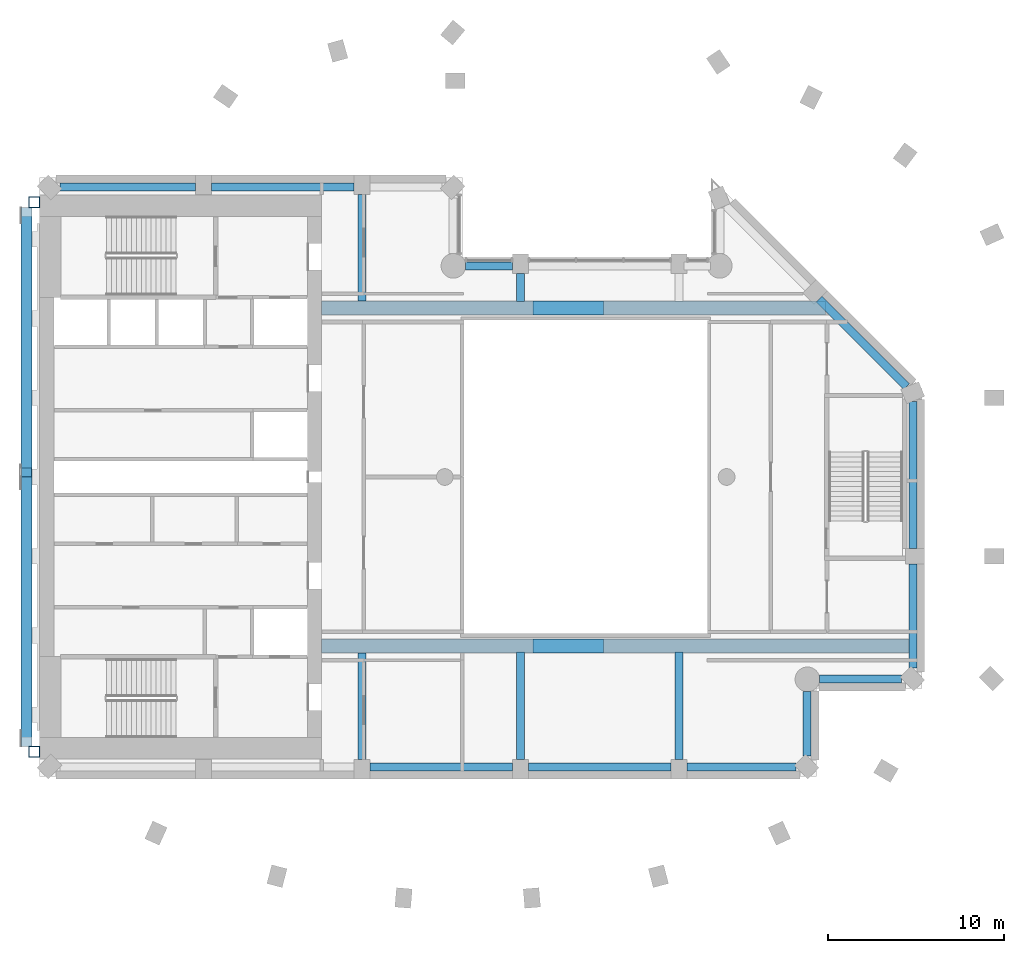
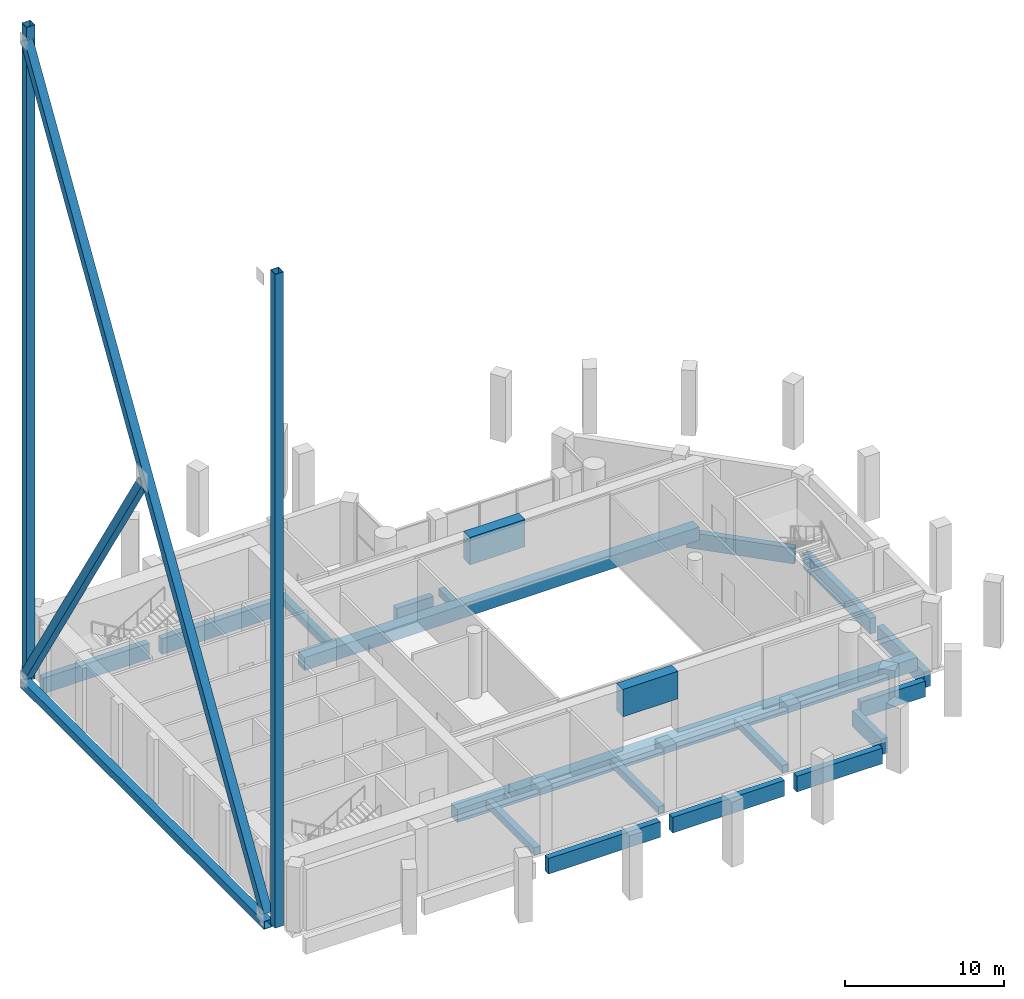
# One storey, part 2 of 12: 20 beams, 5 members.
"""IFC4 building model written with IfcOpenShell, lengths in metres."""

import ifcopenshell
import ifcopenshell.guid

model = None  # the IFC model being written
_history = None  # IfcOwnerHistory: only IFC2X3 demands one
_inside = {}  # id of a spatial element -> (the spatial element, [elements in it])
_under = {}  # id of a project, library or spatial element -> (it, [spatial elements below it])
_declared = {}  # id of a project -> (the project, [libraries it declares])
_typed = {}  # id of a type object -> (the type object, [elements of that type])
_made_of = {}  # id of a material, layer set ... -> (it, [elements and type objects made of it])


def new_model(schema):
    """Start an empty IFC model of exactly this schema.

    Asked for "IFC4X3", IfcOpenShell would pick the latest addendum, in which some entities
    have other attributes; the version numbers below select the first issue.
    IFC2X3 requires an IfcOwnerHistory on every rooted entity: one is made here for all.
    """
    global model, _history
    if schema == "IFC4X3":
        model = ifcopenshell.file(schema_version=(4, 3, 0, 0))
    else:
        model = ifcopenshell.file(schema=schema)
    _inside.clear()
    _under.clear()
    _declared.clear()
    _typed.clear()
    _made_of.clear()
    _history = None
    if model.schema == "IFC2X3":
        org = make("IfcOrganization", Name="unknown")
        user = make(
            "IfcPersonAndOrganization",
            ThePerson=make("IfcPerson", FamilyName="unknown"),
            TheOrganization=org,
        )
        app = make(
            "IfcApplication",
            ApplicationDeveloper=org,
            Version="unknown",
            ApplicationFullName="unknown",
            ApplicationIdentifier="unknown",
        )
        _history = make(
            "IfcOwnerHistory",
            OwningUser=user,
            OwningApplication=app,
            ChangeAction="ADDED",
            CreationDate=0,
        )
    return model


def make(cls, **values):
    """One entity of the class cls with the attributes given. An attribute that is None is left unset."""
    return model.create_entity(
        cls, **{name: value for name, value in values.items() if value is not None}
    )


def rooted(cls, **values):
    """An entity with a GlobalId (a new one), such as an element, a storey or a relation."""
    return make(cls, GlobalId=ifcopenshell.guid.new(), OwnerHistory=_history, **values)


def si_unit(unit_type, name, prefix=None):
    """IfcSIUnit, for example si_unit("LENGTHUNIT", "METRE", prefix="MILLI")."""
    return make("IfcSIUnit", UnitType=unit_type, Prefix=prefix, Name=name)


def assignment(units):
    """IfcUnitAssignment: the units of a project."""
    return None if units is None else make("IfcUnitAssignment", Units=units)


def point(xyz):
    """IfcCartesianPoint."""
    return None if xyz is None else make("IfcCartesianPoint", Coordinates=xyz)


def direction(xyz):
    """IfcDirection."""
    return None if xyz is None else make("IfcDirection", DirectionRatios=xyz)


def frame(location, z_axis=None, x_axis=None):
    """IfcAxis2Placement3D, a coordinate frame: its origin and axes. An axis left out is left unset."""
    return make(
        "IfcAxis2Placement3D",
        Location=point(location),
        Axis=direction(z_axis),
        RefDirection=direction(x_axis),
    )


def frame_2d(location, x_axis=None):
    """IfcAxis2Placement2D, a coordinate frame in the plane: its origin and x axis."""
    return make(
        "IfcAxis2Placement2D", Location=point(location), RefDirection=direction(x_axis)
    )


def origin():
    """The frame at (0, 0, 0) with its axes left unset."""
    return frame((0.0, 0.0, 0.0))


def origin_2d():
    """The frame at (0, 0) in the plane with its x axis left unset."""
    return frame_2d((0.0, 0.0))


def place(relative_to, where):
    """IfcLocalPlacement: puts the frame where relative to a parent placement (None: the world)."""
    return make(
        "IfcLocalPlacement", PlacementRelTo=relative_to, RelativePlacement=where
    )


def context(
    kind, dimensions, precision=None, world=None, true_north=None, identifier=None
):
    """IfcGeometricRepresentationContext, for example the 3D "Model" context."""
    return make(
        "IfcGeometricRepresentationContext",
        ContextIdentifier=identifier,
        ContextType=kind,
        CoordinateSpaceDimension=dimensions,
        Precision=precision,
        WorldCoordinateSystem=world,
        TrueNorth=true_north,
    )


def subcontext(parent, identifier, kind, view, scale=None):
    """IfcGeometricRepresentationSubContext, for example "Body" below "Model"."""
    return make(
        "IfcGeometricRepresentationSubContext",
        ContextIdentifier=identifier,
        ContextType=kind,
        ParentContext=parent,
        TargetScale=scale,
        TargetView=view,
    )


def project(units=None, contexts=None):
    """IfcProject with its units and contexts."""
    return rooted(
        "IfcProject",
        Name="project",
        RepresentationContexts=contexts,
        UnitsInContext=assignment(units),
    )


def spatial(cls, under=None, at=None, **own):
    """A site, building, storey or space (cls), placed at a placement, below another one or the project."""
    s = rooted(cls, ObjectPlacement=at, **own)
    if under is not None:
        _under.setdefault(under.id(), (under, []))[1].append(s)
    return s


def profile(cls, at=None, kind="AREA", **sizes):
    """A parametric profile (cls). Its sizes go by their IFC names, for example OverallWidth=200.0."""
    return make(cls, ProfileType=kind, Position=at, **sizes)


def rectangle(**sizes):
    """IfcRectangleProfileDef."""
    return profile("IfcRectangleProfileDef", **sizes)


def hollow_rectangle(**sizes):
    """IfcRectangleHollowProfileDef."""
    return profile("IfcRectangleHollowProfileDef", **sizes)


def extrude(swept, where, along, depth):
    """IfcExtrudedAreaSolid: the profile swept, set in the frame where, extruded along a direction by depth."""
    return make(
        "IfcExtrudedAreaSolid",
        SweptArea=swept,
        Position=where,
        ExtrudedDirection=direction(along),
        Depth=depth,
    )


def shape(context_of_items, identifier, shape_type, items):
    """IfcShapeRepresentation: the items that make up one representation, for example the "Body"."""
    return make(
        "IfcShapeRepresentation",
        ContextOfItems=context_of_items,
        RepresentationIdentifier=identifier,
        RepresentationType=shape_type,
        Items=items,
    )


def material(Name=None, Category=None):
    """IfcMaterial."""
    return make("IfcMaterial", Name=Name, Category=Category)


def material_profile(
    of_material, cross_section, Name=None, Category=None, Priority=None
):
    """IfcMaterialProfile: a cross section and its material."""
    return make(
        "IfcMaterialProfile",
        Name=Name,
        Material=of_material,
        Profile=cross_section,
        Priority=Priority,
        Category=Category,
    )


def profile_set(profiles, Name=None, composite=None):
    """IfcMaterialProfileSet."""
    return make(
        "IfcMaterialProfileSet",
        Name=Name,
        MaterialProfiles=profiles,
        CompositeProfile=composite,
    )


def made_of(thing, what):
    """Note that an element or type object is made of a material, layer set ...; save() writes the relation."""
    if what is not None:
        _made_of.setdefault(what.id(), (what, []))[1].append(thing)
    return thing


def type_object(cls, material=None, **own):
    """A type object (cls), such as IfcWallType, which elements share."""
    return made_of(rooted(cls, **own), material)


def element(
    cls,
    number,
    at=None,
    inside=None,
    cuts=None,
    type_object=None,
    material=None,
    context=None,
    identifier="Body",
    shape_type=None,
    held_by="IfcProductDefinitionShape",
    body=None,
    shapes=None,
    **own,
):
    """One element of the class cls, such as IfcWall. Its Tag is "e" and its number.

    at: its placement. inside: the storey or other place that contains it. cuts: it is an
    opening in that element (IfcRelVoidsElement). A single representation is given by context,
    identifier, shape_type and body (its items); several are given by shapes. held_by: the class
    of the entity that holds the representations. save() writes the other relations.
    """
    e = rooted(cls, Tag="e%d" % number, ObjectPlacement=at, **own)
    if body is not None:
        shapes = [shape(context, identifier, shape_type, body)]
    if shapes is not None:
        e.Representation = make(held_by, Representations=shapes)
    if inside is not None:
        _inside.setdefault(inside.id(), (inside, []))[1].append(e)
    if cuts is not None:
        rooted(
            "IfcRelVoidsElement", RelatingBuildingElement=cuts, RelatedOpeningElement=e
        )
    if type_object is not None:
        _typed.setdefault(type_object.id(), (type_object, []))[1].append(e)
    return made_of(e, material)


def aggregate(whole, parts):
    """IfcRelAggregates: a whole, such as a stair, and the parts it consists of."""
    return rooted("IfcRelAggregates", RelatingObject=whole, RelatedObjects=parts)


def save(model, path):
    """Write the relations noted so far, then the file.

    IfcRelAggregates (storeys below a building ...), IfcRelContainedInSpatialStructure (elements
    in a storey), IfcRelDefinesByType, IfcRelAssociatesMaterial and IfcRelDeclares: one each for
    every whole, place, type object, material and project.
    """
    for whole, parts in _under.values():
        aggregate(whole, parts)
    for where, things in _inside.values():
        rooted(
            "IfcRelContainedInSpatialStructure",
            RelatedElements=things,
            RelatingStructure=where,
        )
    for kind, things in _typed.values():
        rooted("IfcRelDefinesByType", RelatedObjects=things, RelatingType=kind)
    for what, things in _made_of.values():
        rooted("IfcRelAssociatesMaterial", RelatedObjects=things, RelatingMaterial=what)
    for by, libraries in _declared.values():
        rooted("IfcRelDeclares", RelatingContext=by, RelatedDefinitions=libraries)
    model.write(path)


model = new_model("IFC4")

# Units and contexts
model_context = context("Model", 3, precision=1e-05, world=origin(), true_north=direction((0.0, 1.0)))
body_context = subcontext(model_context, "Body", "Model", "MODEL_VIEW")
ifc_project = project(units=[si_unit("LENGTHUNIT", "METRE"), si_unit("AREAUNIT", "SQUARE_METRE"), si_unit("VOLUMEUNIT", "CUBIC_METRE"), si_unit("PLANEANGLEUNIT", "RADIAN"), si_unit("MASSUNIT", "GRAM", prefix="KILO")], contexts=[model_context])

# Site, building, storey
site_placement = place(None, origin())
site = spatial("IfcSite", under=ifc_project, at=site_placement, CompositionType="ELEMENT")
building_placement = place(site_placement, origin())
building = spatial("IfcBuilding", under=site, at=building_placement, Name="Cypress Arch Tower", CompositionType="ELEMENT")
storey_placement = place(building_placement, frame((0.0, 0.0, 238.39990234375)))
storey = spatial("IfcBuildingStorey", under=building, at=storey_placement, Name="L53", CompositionType="ELEMENT", Elevation=238.39990234375)

# Beams
ifc_material_1 = material(Name="Concrete C50/60", Category="concrete")
ifc_material_profile_1 = material_profile(ifc_material_1, rectangle(XDim=0.449951171875, YDim=0.550048828125, at=origin_2d()), Name="RC 450x550")
ifc_profile_set_1 = profile_set([ifc_material_profile_1], Name="Concrete C50/60")
beam_type_1 = type_object("IfcBeamType", Name="Floor beam RC 450x550 Concrete C50/60", PredefinedType="BEAM", material=ifc_profile_set_1)
for number, where, z_axis, x_axis, name in (
    (1, (-11.699951171875, -16.050048828125, -0.574951171875), (0.0, 1.0, 0.0), (-1.0, 0.0, 0.0), "Floor beam L53 FB007"),
    (2, (-11.699951171875, 10.0, -0.574951171875), (0.0, 1.0, 0.0), (-1.0, 0.0, 0.0), "Floor beam L53 FB008"),
):
    element("IfcBeam", number, at=place(storey_placement, frame(where, z_axis=z_axis, x_axis=x_axis)), inside=storey, type_object=beam_type_1, Name=name, PredefinedType="BEAM", context=body_context, shape_type="SweptSolid", body=[
        extrude(rectangle(XDim=0.449951171875, YDim=0.550048828125, at=origin_2d()), origin(), (0.0, 0.0, 1.0), 6.050048828125),
    ])
beam_1_placement = place(storey_placement, frame((-2.699951171875, -16.050048828125, -0.574951171875), z_axis=(0.0, 1.0, 0.0), x_axis=(-1.0, 0.0, 0.0)))
element("IfcBeam", 3, at=beam_1_placement, inside=storey, type_object=beam_type_1, Name="Floor beam L53 FB009", PredefinedType="BEAM", context=body_context, shape_type="SweptSolid", body=[
    extrude(rectangle(XDim=0.449951171875, YDim=0.550048828125, at=origin_2d()), origin(), (0.0, 0.0, 1.0), 6.10009765625),
])
beam_2_placement = place(storey_placement, frame((-2.699951171875, 9.949951171875, -0.574951171875), z_axis=(0.0, 1.0, 0.0), x_axis=(-1.0, 0.0, 0.0)))
element("IfcBeam", 4, at=beam_2_placement, inside=storey, type_object=beam_type_1, Name="Floor beam L53 FB010", PredefinedType="BEAM", context=body_context, shape_type="SweptSolid", body=[
    extrude(rectangle(XDim=0.449951171875, YDim=0.550048828125, at=origin_2d()), origin(), (0.0, 0.0, 1.0), 1.60009765625),
])
beam_3_placement = place(storey_placement, frame((6.300048828125, -16.050048828125, -0.574951171875), z_axis=(0.0, 1.0, 0.0), x_axis=(-1.0, 0.0, 0.0)))
element("IfcBeam", 5, at=beam_3_placement, inside=storey, type_object=beam_type_1, Name="Floor beam L53 FB011", PredefinedType="BEAM", context=body_context, shape_type="SweptSolid", body=[
    extrude(rectangle(XDim=0.449951171875, YDim=0.550048828125, at=origin_2d()), origin(), (0.0, 0.0, 1.0), 6.10009765625),
])
ifc_material_2 = material(Name="Concrete C80/95", Category="concrete")
ifc_material_profile_2 = material_profile(ifc_material_2, rectangle(XDim=0.800048828125, YDim=2.10009765625, at=origin_2d()), Name="RC 800x2100")
ifc_profile_set_2 = profile_set([ifc_material_profile_2], Name="Concrete C80/95")
beam_type_2 = type_object("IfcBeamType", Name="Outrigger opening beam RC 800x2100 Concrete C80/95", PredefinedType="LINTEL", material=ifc_profile_set_2)
for number, where, z_axis, x_axis, name in (
    (6, (-2.0, -9.60009765625, 3.650146484375), (1.0, 0.0, 0.0), (0.0, 1.0, 0.0), "Opening beam L53 S"),
    (7, (-2.0, 9.60009765625, 3.650146484375), (1.0, 0.0, 0.0), (0.0, 1.0, 0.0), "Opening beam L53 N"),
):
    element("IfcBeam", number, at=place(storey_placement, frame(where, z_axis=z_axis, x_axis=x_axis)), inside=storey, type_object=beam_type_2, Name=name, PredefinedType="LINTEL", context=body_context, shape_type="SweptSolid", body=[
        extrude(rectangle(XDim=0.800048828125, YDim=2.10009765625, at=origin_2d()), origin(), (0.0, 0.0, 1.0), 4.0),
    ])
ifc_material_3 = material(Name="Concrete C50/60", Category="concrete")
ifc_material_profile_3 = material_profile(ifc_material_3, rectangle(XDim=0.449951171875, YDim=1.199951171875, at=origin_2d()), Name="RC 450x1200")
ifc_profile_set_3 = profile_set([ifc_material_profile_3], Name="Concrete C50/60")
beam_type_3 = type_object("IfcBeamType", Name="Spandrel beam RC 450x1200 Concrete C50/60", PredefinedType="SPANDREL", material=ifc_profile_set_3)
for number, where, z_axis, x_axis, name in (
    (8, (-11.25, -16.47509765625, -1.5498046875), (1.0, 0.0, 0.0), (0.0, 1.0, 0.0), "Spandrel beam L53 BB01-2"),
    (9, (-2.25, -16.47509765625, -1.5498046875), (1.0, 0.0, 0.0), (0.0, 1.0, 0.0), "Spandrel beam L53 BB01-3"),
):
    element("IfcBeam", number, at=place(storey_placement, frame(where, z_axis=z_axis, x_axis=x_axis)), inside=storey, type_object=beam_type_3, Name=name, PredefinedType="SPANDREL", context=body_context, shape_type="SweptSolid", body=[
        extrude(rectangle(XDim=0.449951171875, YDim=1.199951171875, at=origin_2d()), origin(), (0.0, 0.0, 1.0), 8.10009765625),
    ])
beam_4_placement = place(storey_placement, frame((6.75, -16.47509765625, -1.5498046875), z_axis=(1.0, 0.0, 0.0), x_axis=(0.0, 1.0, 0.0)))
element("IfcBeam", 10, at=beam_4_placement, inside=storey, type_object=beam_type_3, Name="Spandrel beam L53 BB01-4", PredefinedType="SPANDREL", context=body_context, shape_type="SweptSolid", body=[
    extrude(rectangle(XDim=0.449951171875, YDim=1.199951171875, at=origin_2d()), origin(), (0.0, 0.0, 1.0), 6.188720703125),
])
beam_5_placement = place(storey_placement, frame((13.574951171875, -15.838623046875, -1.5498046875), z_axis=(0.0, 1.0, 0.0), x_axis=(-1.0, 0.0, 0.0)))
element("IfcBeam", 11, at=beam_5_placement, inside=storey, type_object=beam_type_3, Name="Spandrel beam L53 BB02-0", PredefinedType="SPANDREL", context=body_context, shape_type="SweptSolid", body=[
    extrude(rectangle(XDim=0.449951171875, YDim=1.199951171875, at=origin_2d()), origin(), (0.0, 0.0, 1.0), 3.651123046875),
])
beam_6_placement = place(storey_placement, frame((14.28759765625, -11.47509765625, -1.5498046875), z_axis=(1.0, 0.0, 0.0), x_axis=(0.0, 1.0, 0.0)))
element("IfcBeam", 12, at=beam_6_placement, inside=storey, type_object=beam_type_3, Name="Spandrel beam L53 BB03-0", PredefinedType="SPANDREL", context=body_context, shape_type="SweptSolid", body=[
    extrude(rectangle(XDim=0.449951171875, YDim=1.199951171875, at=origin_2d()), origin(), (0.0, 0.0, 1.0), 4.651123046875),
])
beam_7_placement = place(storey_placement, frame((19.574951171875, -10.838623046875, -1.5498046875), z_axis=(0.0, 1.0, 0.0), x_axis=(-1.0, 0.0, 0.0)))
element("IfcBeam", 13, at=beam_7_placement, inside=storey, type_object=beam_type_3, Name="Spandrel beam L53 BB04-0", PredefinedType="SPANDREL", context=body_context, shape_type="SweptSolid", body=[
    extrude(rectangle(XDim=0.449951171875, YDim=1.199951171875, at=origin_2d()), origin(), (0.0, 0.0, 1.0), 5.888671875),
])
beam_8_placement = place(storey_placement, frame((19.574951171875, -4.050048828125, -1.5498046875), z_axis=(0.0, 1.0, 0.0), x_axis=(-1.0, 0.0, 0.0)))
element("IfcBeam", 14, at=beam_8_placement, inside=storey, type_object=beam_type_3, Name="Spandrel beam L53 BB04-1", PredefinedType="SPANDREL", context=body_context, shape_type="SweptSolid", body=[
    extrude(rectangle(XDim=0.449951171875, YDim=1.199951171875, at=origin_2d()), origin(), (0.0, 0.0, 1.0), 8.345458984375),
])
beam_9_placement = place(storey_placement, frame((19.23046875, 5.126953125, -1.5498046875), z_axis=(-0.707106781187, 0.707106781187, 0.0), x_axis=(-0.707106781187, -0.707106781187, 0.0)))
element("IfcBeam", 15, at=beam_9_placement, inside=storey, type_object=beam_type_3, Name="Spandrel beam L53 BB05-0", PredefinedType="SPANDREL", context=body_context, shape_type="SweptSolid", body=[
    extrude(rectangle(XDim=0.449951171875, YDim=1.199951171875, at=origin_2d()), origin(), (0.0, 0.0, 1.0), 7.03076171875),
])
beam_10_placement = place(storey_placement, frame((-3.14990234375, 11.97509765625, -1.5498046875), z_axis=(-1.0, 0.0, 0.0), x_axis=(0.0, -1.0, 0.0)))
element("IfcBeam", 16, at=beam_10_placement, inside=storey, type_object=beam_type_3, Name="Spandrel beam L53 BB07-2", PredefinedType="SPANDREL", context=body_context, shape_type="SweptSolid", body=[
    extrude(rectangle(XDim=0.449951171875, YDim=1.199951171875, at=origin_2d()), origin(), (0.0, 0.0, 1.0), 2.66259765625),
])
beam_11_placement = place(storey_placement, frame((-12.14990234375, 16.47509765625, -1.5498046875), z_axis=(-1.0, 0.0, 0.0), x_axis=(0.0, -1.0, 0.0)))
element("IfcBeam", 17, at=beam_11_placement, inside=storey, type_object=beam_type_3, Name="Spandrel beam L53 BB09-1", PredefinedType="SPANDREL", context=body_context, shape_type="SweptSolid", body=[
    extrude(rectangle(XDim=0.449951171875, YDim=1.199951171875, at=origin_2d()), origin(), (0.0, 0.0, 1.0), 8.10009765625),
])
beam_12_placement = place(storey_placement, frame((-21.14990234375, 16.47509765625, -1.5498046875), z_axis=(-1.0, 0.0, 0.0), x_axis=(0.0, -1.0, 0.0)))
element("IfcBeam", 18, at=beam_12_placement, inside=storey, type_object=beam_type_3, Name="Spandrel beam L53 BB09-2", PredefinedType="SPANDREL", context=body_context, shape_type="SweptSolid", body=[
    extrude(rectangle(XDim=0.449951171875, YDim=1.199951171875, at=origin_2d()), origin(), (0.0, 0.0, 1.0), 7.688720703125),
])
ifc_material_4 = material(Name="Concrete C80/95", Category="concrete")
ifc_material_profile_4 = material_profile(ifc_material_4, rectangle(XDim=0.800048828125, YDim=1.0, at=origin_2d()), Name="RC 800x1000")
ifc_profile_set_4 = profile_set([ifc_material_profile_4], Name="Concrete C80/95")
beam_type_4 = type_object("IfcBeamType", Name="Wall beam RC 800x1000 Concrete C80/95", PredefinedType="BEAM", material=ifc_profile_set_4)
beam_13_placement = place(storey_placement, frame((-14.0, -9.60009765625, -0.7998046875), z_axis=(1.0, 0.0, 0.0), x_axis=(0.0, 1.0, 0.0)))
element("IfcBeam", 19, at=beam_13_placement, inside=storey, type_object=beam_type_4, Name="Wall beam L53 SE", PredefinedType="BEAM", context=body_context, shape_type="SweptSolid", body=[
    extrude(rectangle(XDim=0.800048828125, YDim=1.0, at=origin_2d()), origin(), (0.0, 0.0, 1.0), 33.35009765625),
])
beam_14_placement = place(storey_placement, frame((-14.0, 9.60009765625, -0.7998046875), z_axis=(1.0, 0.0, 0.0), x_axis=(0.0, 1.0, 0.0)))
element("IfcBeam", 20, at=beam_14_placement, inside=storey, type_object=beam_type_4, Name="Wall beam L53 NE", PredefinedType="BEAM", context=body_context, shape_type="SweptSolid", body=[
    extrude(rectangle(XDim=0.800048828125, YDim=1.0, at=origin_2d()), origin(), (0.0, 0.0, 1.0), 28.625732421875),
])

# Members
ifc_material_5 = material(Name="Steel ASTM A501 Grade B", Category="steel")
ifc_material_profile_5 = material_profile(ifc_material_5, hollow_rectangle(XDim=0.609619140625, YDim=0.609619140625, WallThickness=0.023681640625, at=origin_2d()), Name="HSS 24x24x1")
ifc_profile_set_5 = profile_set([ifc_material_profile_5], Name="Steel ASTM A501 Grade B")
member_type_1 = type_object("IfcMemberType", Name="West bracing chord HSS 24x24x1 Steel ASTM A501 Grade B", PredefinedType="CHORD", material=ifc_profile_set_5)
member_1_placement = place(storey_placement, frame((-30.7548828125, -15.295166015625, 0.0), z_axis=(0.0, 1.0, 0.0), x_axis=(-1.0, 0.0, 0.0)))
element("IfcMember", 21, at=member_1_placement, inside=storey, type_object=member_type_1, Name="West bracing chord 5", PredefinedType="CHORD", context=body_context, shape_type="SweptSolid", body=[
    extrude(hollow_rectangle(XDim=0.609619140625, YDim=0.609619140625, WallThickness=0.023681640625, at=origin_2d()), origin(), (0.0, 0.0, 1.0), 30.59033203125),
])
ifc_material_6 = material(Name="Steel ASTM A501 Grade B", Category="steel")
ifc_material_profile_6 = material_profile(ifc_material_6, hollow_rectangle(XDim=0.609619140625, YDim=0.609619140625, WallThickness=0.023681640625, at=origin_2d()), Name="HSS 24x24x1")
ifc_profile_set_6 = profile_set([ifc_material_profile_6], Name="Steel ASTM A501 Grade B")
member_type_2 = type_object("IfcMemberType", Name="West bracing diagonal HSS 24x24x1 Steel ASTM A501 Grade B", PredefinedType="BRACE", material=ifc_profile_set_6)
member_2_placement = place(storey_placement, frame((-30.7548828125, -15.036376953125, 0.7236328125), z_axis=(0.0, 0.52577537996, 0.85062344773), x_axis=(-1.0, 0.0, 0.0)))
element("IfcMember", 22, at=member_2_placement, inside=storey, type_object=member_type_2, Name="West bracing diagonal 5A", PredefinedType="BRACE", context=body_context, shape_type="SweptSolid", body=[
    extrude(hollow_rectangle(XDim=0.609619140625, YDim=0.609619140625, WallThickness=0.023681640625, at=origin_2d()), origin(), (0.0, 0.0, 1.0), 57.197021484375),
])
member_3_placement = place(storey_placement, frame((-30.7548828125, 15.036376953125, 0.7236328125), z_axis=(0.0, -0.525775246676, 0.850623530114), x_axis=(1.0, 0.0, 0.0)))
element("IfcMember", 23, at=member_3_placement, inside=storey, type_object=member_type_2, Name="West bracing diagonal 5C", PredefinedType="BRACE", context=body_context, shape_type="SweptSolid", body=[
    extrude(hollow_rectangle(XDim=0.609619140625, YDim=0.609619140625, WallThickness=0.023681640625, at=origin_2d()), origin(), (0.0, 0.0, 1.0), 28.105712890625),
])
ifc_material_7 = material(Name="Steel ASTM A501 Grade B", Category="steel")
ifc_material_profile_7 = material_profile(ifc_material_7, hollow_rectangle(XDim=0.609619140625, YDim=0.609619140625, WallThickness=0.023681640625, at=origin_2d()), Name="HSS 24x24x1")
ifc_profile_set_7 = profile_set([ifc_material_profile_7], Name="Steel ASTM A501 Grade B")
member_type_3 = type_object("IfcMemberType", Name="West bracing post HSS 24x24x1 Steel ASTM A501 Grade B", PredefinedType="POST", material=ifc_profile_set_7)
for number, where, z_axis, x_axis, name in (
    (24, (-30.3046875, -15.60009765625, 0.0), (0.0, 0.0, 1.0), (1.0, 0.0, 0.0), "West bracing post 5S"),
    (25, (-30.3046875, 15.60009765625, 0.0), (0.0, 0.0, 1.0), (1.0, 0.0, 0.0), "West bracing post 5N"),
):
    element("IfcMember", number, at=place(storey_placement, frame(where, z_axis=z_axis, x_axis=x_axis)), inside=storey, type_object=member_type_3, Name=name, PredefinedType="POST", context=body_context, shape_type="SweptSolid", body=[
        extrude(hollow_rectangle(XDim=0.609619140625, YDim=0.609619140625, WallThickness=0.023681640625, at=origin_2d()), origin(), (0.0, 0.0, 1.0), 50.10009765625),
    ])

save(model, "model.ifc")
